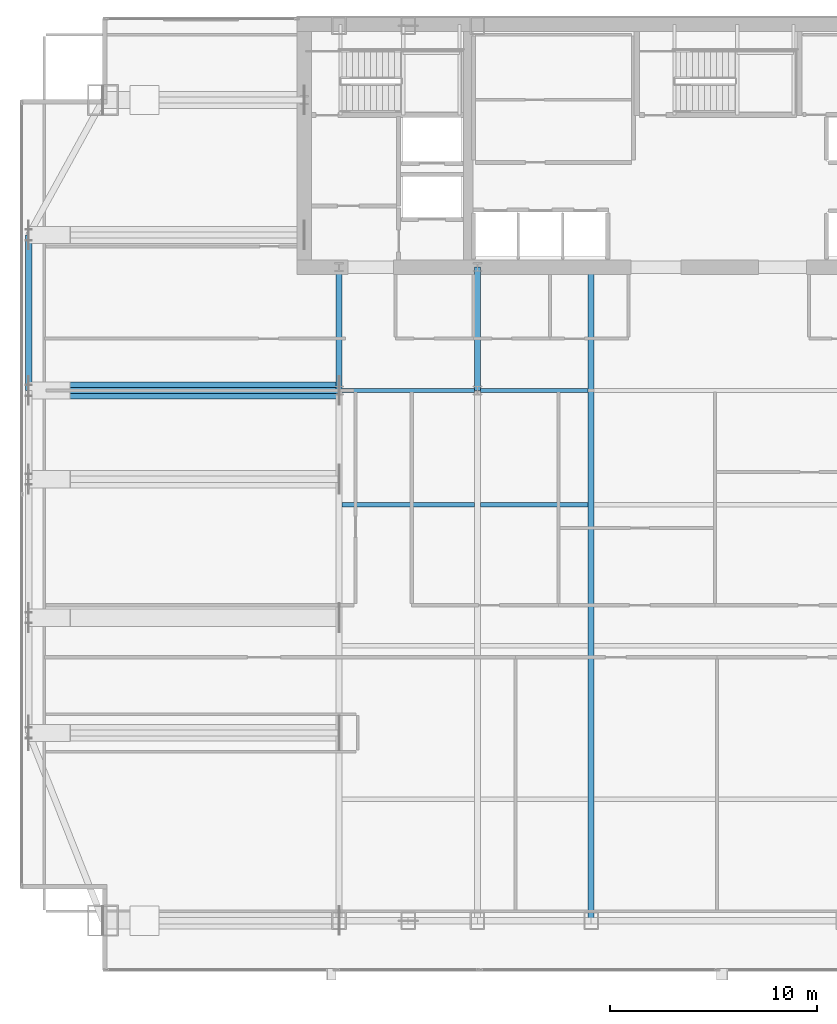
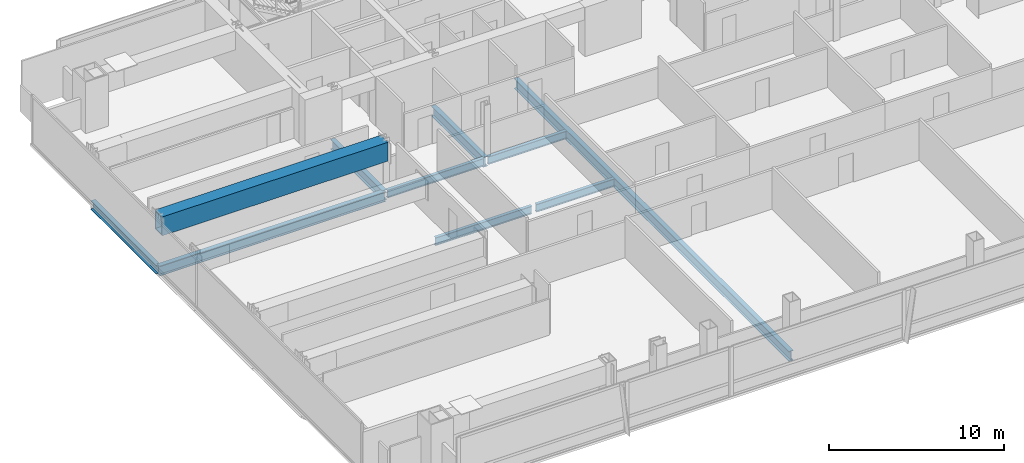
# One storey, part 11 of 30: 10 beams.
"""IFC4 building model written with IfcOpenShell, lengths in metres."""

from ifc_helpers import new_model, si_unit, direction, frame, origin, origin_2d, place, context, subcontext, project, spatial, hollow_rectangle, i_section, extrude, material, material_profile, profile_set, type_object, element, save


model = new_model("IFC4")

# Units and contexts
model_context = context("Model", 3, precision=1e-05, world=origin(), true_north=direction((0.0, 1.0)))
body_context = subcontext(model_context, "Body", "Model", "MODEL_VIEW")
ifc_project = project(units=[si_unit("LENGTHUNIT", "METRE"), si_unit("AREAUNIT", "SQUARE_METRE"), si_unit("VOLUMEUNIT", "CUBIC_METRE"), si_unit("PLANEANGLEUNIT", "RADIAN"), si_unit("MASSUNIT", "GRAM", prefix="KILO")], contexts=[model_context])

# Site, building, storey
site_placement = place(None, origin())
site = spatial("IfcSite", under=ifc_project, at=site_placement, CompositionType="ELEMENT")
building_placement = place(site_placement, origin())
building = spatial("IfcBuilding", under=site, at=building_placement, Name="Khoronbel Lancet Exchange", CompositionType="ELEMENT")
storey_placement = place(building_placement, frame((0.0, 0.0, 132.60009765625)))
storey = spatial("IfcBuildingStorey", under=building, at=storey_placement, Name="L32", CompositionType="ELEMENT", Elevation=132.60009765625)

# Beams
ifc_material_1 = material(Name="Steel S355", Category="steel")
ifc_material_profile_1 = material_profile(ifc_material_1, i_section(OverallWidth=0.300048828125, OverallDepth=0.699951171875, WebThickness=0.01708984375, FlangeThickness=0.031982421875, at=origin_2d()), Name="HEB 700")
ifc_profile_set_1 = profile_set([ifc_material_profile_1], Name="Steel S355")
beam_type_1 = type_object("IfcBeamType", Name="BM-BG3", PredefinedType="BEAM", material=ifc_profile_set_1)
for number, where, z_axis, x_axis, name in (
    (1, (18.22509765625, 35.699951171875, -0.510009765625), (0.0, 1.0, 0.0), (-1.0, 0.0, 0.0), "Level L32 spine tie girder GN1"),
    (2, (24.89990234375, 35.699951171875, -0.510009765625), (0.0, 1.0, 0.0), (-1.0, 0.0, 0.0), "Level L32 spine tie girder GN2"),
):
    element("IfcBeam", number, at=place(storey_placement, frame(where, z_axis=z_axis, x_axis=x_axis)), inside=storey, type_object=beam_type_1, Name=name, PredefinedType="BEAM", context=body_context, shape_type="SweptSolid", body=[
        extrude(i_section(OverallWidth=0.300048828125, OverallDepth=0.699951171875, WebThickness=0.01708984375, FlangeThickness=0.031982421875, at=origin_2d()), origin(), (0.0, 0.0, 1.0), 5.949951171875),
    ])
beam_1_placement = place(storey_placement, frame((30.375, 10.14990234375, -0.510009765625), z_axis=(0.0, 1.0, 0.0), x_axis=(-1.0, 0.0, 0.0)))
element("IfcBeam", 3, at=beam_1_placement, inside=storey, type_object=beam_type_1, Name="Level L32 primary floor girder G3", PredefinedType="BEAM", context=body_context, shape_type="SweptSolid", body=[
    extrude(i_section(OverallWidth=0.300048828125, OverallDepth=0.699951171875, WebThickness=0.01708984375, FlangeThickness=0.031982421875, at=origin_2d()), origin(), (0.0, 0.0, 1.0), 31.5),
])
beam_2_placement = place(storey_placement, frame((3.27001953125, 35.699951171875, -0.510009765625), z_axis=(1.0, 0.0, 0.0), x_axis=(0.0, 1.0, 0.0)))
element("IfcBeam", 4, at=beam_2_placement, inside=storey, type_object=beam_type_1, Name="Level L32 west lens tie girder LG4W", PredefinedType="BEAM", context=body_context, shape_type="SweptSolid", body=[
    extrude(i_section(OverallWidth=0.300048828125, OverallDepth=0.699951171875, WebThickness=0.01708984375, FlangeThickness=0.031982421875, at=origin_2d()), origin(), (0.0, 0.0, 1.0), 14.955078125),
])
ifc_material_profile_2 = material_profile(ifc_material_1, i_section(OverallWidth=0.2099609375, OverallDepth=0.550048828125, WebThickness=0.010986328125, FlangeThickness=0.01708984375, at=origin_2d()), Name="IPE 550")
ifc_profile_set_2 = profile_set([ifc_material_profile_2], Name="Steel S355")
beam_type_2 = type_object("IfcBeamType", Name="BM-BJ2", PredefinedType="JOIST", material=ifc_profile_set_2)
beam_3_placement = place(storey_placement, frame((18.375, 30.199951171875, -0.43505859375), z_axis=(1.0, 0.0, 0.0), x_axis=(0.0, 1.0, 0.0)))
element("IfcBeam", 5, at=beam_3_placement, inside=storey, type_object=beam_type_2, Name="Level L32 secondary composite joist J11", PredefinedType="JOIST", context=body_context, shape_type="SweptSolid", body=[
    extrude(i_section(OverallWidth=0.2099609375, OverallDepth=0.550048828125, WebThickness=0.010986328125, FlangeThickness=0.01708984375, at=origin_2d()), origin(), (0.0, 0.0, 1.0), 6.375),
])
beam_4_placement = place(storey_placement, frame((25.050048828125, 30.199951171875, -0.43505859375), z_axis=(1.0, 0.0, 0.0), x_axis=(0.0, 1.0, 0.0)))
element("IfcBeam", 6, at=beam_4_placement, inside=storey, type_object=beam_type_2, Name="Level L32 secondary composite joist J12", PredefinedType="JOIST", context=body_context, shape_type="SweptSolid", body=[
    extrude(i_section(OverallWidth=0.2099609375, OverallDepth=0.550048828125, WebThickness=0.010986328125, FlangeThickness=0.01708984375, at=origin_2d()), origin(), (0.0, 0.0, 1.0), 5.175048828125),
])
beam_5_placement = place(storey_placement, frame((18.375, 35.699951171875, -0.43505859375), z_axis=(1.0, 0.0, 0.0), x_axis=(0.0, 1.0, 0.0)))
element("IfcBeam", 7, at=beam_5_placement, inside=storey, type_object=beam_type_2, Name="Level L32 secondary composite joist J16", PredefinedType="JOIST", context=body_context, shape_type="SweptSolid", body=[
    extrude(i_section(OverallWidth=0.2099609375, OverallDepth=0.550048828125, WebThickness=0.010986328125, FlangeThickness=0.01708984375, at=origin_2d()), origin(), (0.0, 0.0, 1.0), 6.375),
])
beam_6_placement = place(storey_placement, frame((25.050048828125, 35.699951171875, -0.43505859375), z_axis=(1.0, 0.0, 0.0), x_axis=(0.0, 1.0, 0.0)))
element("IfcBeam", 8, at=beam_6_placement, inside=storey, type_object=beam_type_2, Name="Level L32 secondary composite joist J17", PredefinedType="JOIST", context=body_context, shape_type="SweptSolid", body=[
    extrude(i_section(OverallWidth=0.2099609375, OverallDepth=0.550048828125, WebThickness=0.010986328125, FlangeThickness=0.01708984375, at=origin_2d()), origin(), (0.0, 0.0, 1.0), 5.175048828125),
])
ifc_material_profile_3 = material_profile(ifc_material_1, i_section(OverallWidth=0.300048828125, OverallDepth=0.60009765625, WebThickness=0.015380859375, FlangeThickness=0.030029296875, at=origin_2d()), Name="HEB 600")
ifc_profile_set_3 = profile_set([ifc_material_profile_3], Name="Steel S355")
beam_type_3 = type_object("IfcBeamType", Name="BM-BSP2", PredefinedType="SPANDREL", material=ifc_profile_set_3)
beam_7_placement = place(storey_placement, frame((3.27001953125, 43.199951171875, -0.460205078125), z_axis=(0.0, -1.0, 0.0), x_axis=(1.0, 0.0, 0.0)))
element("IfcBeam", 9, at=beam_7_placement, inside=storey, type_object=beam_type_3, Name="Level L32 perimeter spandrel beam SP17", PredefinedType="SPANDREL", context=body_context, shape_type="SweptSolid", body=[
    extrude(i_section(OverallWidth=0.300048828125, OverallDepth=0.60009765625, WebThickness=0.015380859375, FlangeThickness=0.030029296875, at=origin_2d()), origin(), (0.0, 0.0, 1.0), 7.5),
])
ifc_material_2 = material(Name="Steel S460", Category="steel")
ifc_material_profile_4 = material_profile(ifc_material_2, hollow_rectangle(XDim=0.820068359375, YDim=1.320068359375, WallThickness=0.070068359375, at=origin_2d()), Name="BOX 820x1320x70")
ifc_profile_set_4 = profile_set([ifc_material_profile_4], Name="Steel S460")
beam_type_4 = type_object("IfcBeamType", Name="BM-TG4", PredefinedType="USERDEFINED", material=ifc_profile_set_4)
beam_8_placement = place(storey_placement, frame((3.27001953125, 35.699951171875, 2.77978515625), z_axis=(1.0, 0.0, 0.0), x_axis=(0.0, 1.0, 0.0)))
element("IfcBeam", 10, at=beam_8_placement, inside=storey, type_object=beam_type_4, Name="Lens setback S460 transfer girder L32-W4", ObjectType="TRANSFER GIRDER", PredefinedType="USERDEFINED", context=body_context, shape_type="SweptSolid", body=[
    extrude(hollow_rectangle(XDim=0.820068359375, YDim=1.320068359375, WallThickness=0.070068359375, at=origin_2d()), origin(), (0.0, 0.0, 1.0), 14.955078125),
])

save(model, "model.ifc")
